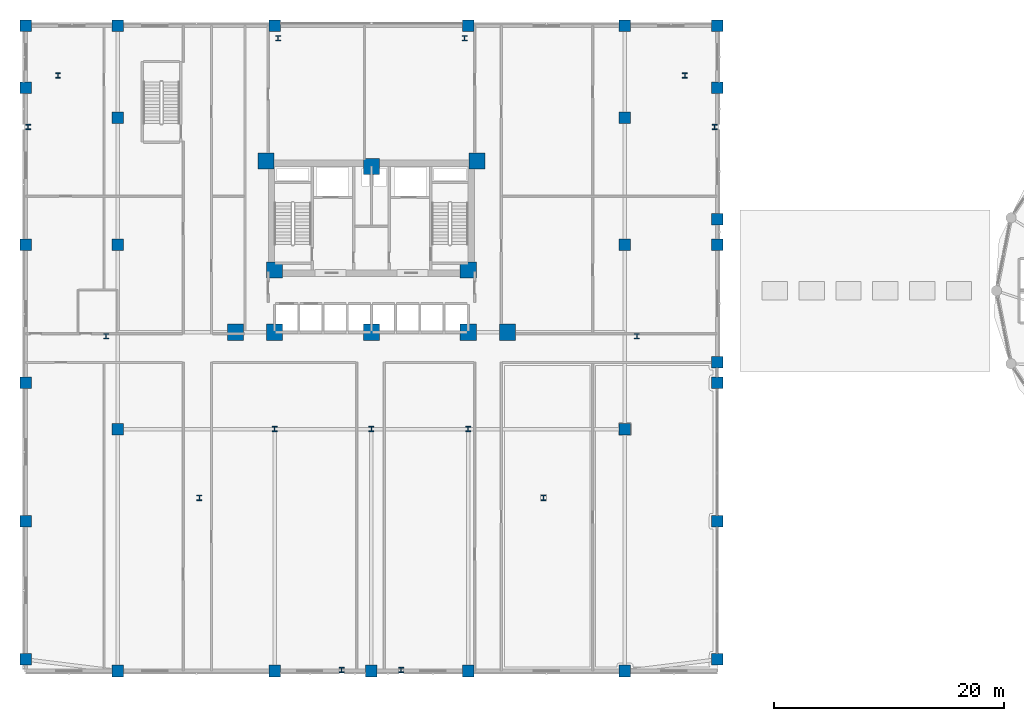
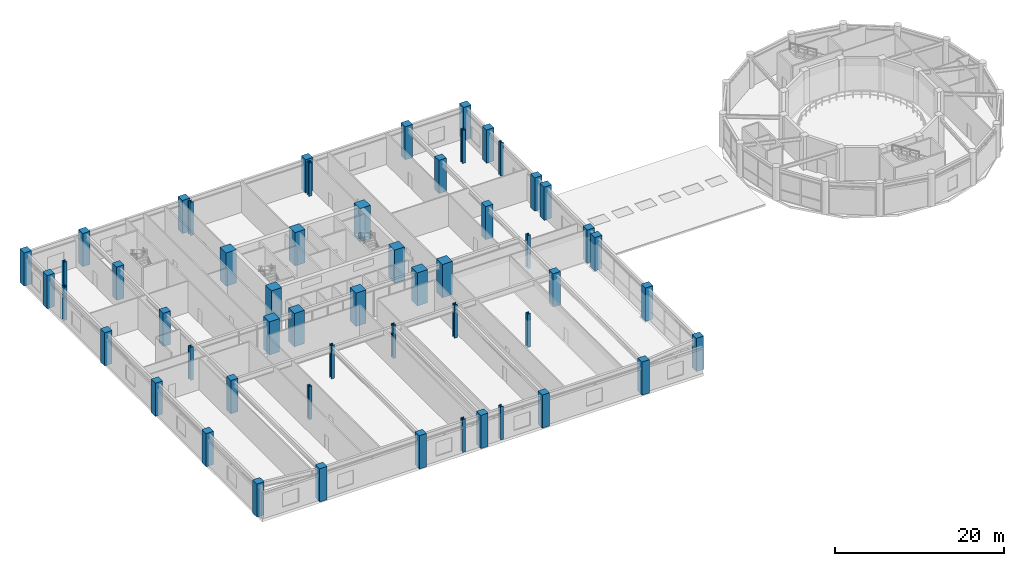
# One storey, part 1 of 34: 54 columns.
"""IFC4 building model written with IfcOpenShell, lengths in metres."""

from ifc_helpers import new_model, si_unit, derived_unit, direction, frame, origin, origin_2d, place, context, subcontext, project, spatial, rectangle, i_section, extrude, source, transform, mapped, material, material_profile, profile_set, type_object, element, save


model = new_model("IFC4")

# Units and contexts
model_context = context("Model", 3, precision=1e-05, world=origin(), true_north=direction((0.0, 1.0)))
body_context = subcontext(model_context, "Body", "Model", "MODEL_VIEW")
ifc_project = project(units=[si_unit("LENGTHUNIT", "METRE"), si_unit("AREAUNIT", "SQUARE_METRE"), si_unit("VOLUMEUNIT", "CUBIC_METRE"), si_unit("PLANEANGLEUNIT", "RADIAN"), si_unit("MASSUNIT", "GRAM", prefix="KILO"), derived_unit("THERMALTRANSMITTANCEUNIT", [(si_unit("POWERUNIT", "WATT"), 1), (si_unit("LENGTHUNIT", "METRE"), -2), (si_unit("THERMODYNAMICTEMPERATUREUNIT", "KELVIN"), -1)])], contexts=[model_context])

# Site, building, storey
site_placement = place(None, origin())
site = spatial("IfcSite", under=ifc_project, at=site_placement, CompositionType="ELEMENT")
building_placement = place(site_placement, origin())
building = spatial("IfcBuilding", under=site, at=building_placement, Name="Korsvarv Bourse and Concert Hall", CompositionType="ELEMENT")
storey_placement = place(building_placement, frame((0.0, 0.0, 14.39990234375)))
storey = spatial("IfcBuildingStorey", under=building, at=storey_placement, Name="L03", CompositionType="ELEMENT", Elevation=14.39990234375)

# Columns
ifc_material_1 = material(Name="Concrete C60/75", Category="concrete")
ifc_material_profile_1 = material_profile(ifc_material_1, rectangle(XDim=1.39990234375, YDim=1.39990234375, at=origin_2d()), Name="RC 1400x1400")
ifc_profile_set_1 = profile_set([ifc_material_profile_1], Name="Concrete C60/75")
column_type_1 = type_object("IfcColumnType", Name="COL-RC1400", PredefinedType="COLUMN", material=ifc_profile_set_1)
shared_shape_1 = source(origin(), body_context, "Body", "SweptSolid", [
    extrude(rectangle(XDim=1.39990234375, YDim=1.39990234375, at=origin_2d()), origin(), (0.0, 0.0, 1.0), 4.800048828125),
])
for number, where, z_axis, x_axis, name in (
    (1, (26.85009765625, 47.25, 0.0), (0.0, 0.0, 1.0), (1.0, 0.0, 0.0), "L03 column C-01"),
    (2, (45.14990234375, 47.25, 0.0), (0.0, 0.0, 1.0), (1.0, 0.0, 0.0), "L03 column C-01"),
    (3, (27.60009765625, 37.800048828125, 0.0), (0.0, 0.0, 1.0), (1.0, 0.0, 0.0), "L03 column C-01"),
    (4, (44.39990234375, 37.800048828125, 0.0), (0.0, 0.0, 1.0), (1.0, 0.0, 0.0), "L03 column C-01"),
    (5, (27.60009765625, 32.39990234375, 0.0), (0.0, 0.0, 1.0), (1.0, 0.0, 0.0), "L03 column C-01"),
    (6, (44.39990234375, 32.39990234375, 0.0), (0.0, 0.0, 1.0), (1.0, 0.0, 0.0), "L03 column C-01"),
    (7, (36.0, 46.800048828125, 0.0), (0.0, 0.0, 1.0), (1.0, 0.0, 0.0), "L03 column C-01"),
    (8, (36.0, 32.39990234375, 0.0), (0.0, 0.0, 1.0), (1.0, 0.0, 0.0), "L03 column C-01"),
    (9, (24.199951171875, 32.39990234375, 0.0), (0.0, 0.0, 1.0), (1.0, 0.0, 0.0), "L03 column C-01"),
    (10, (47.800048828125, 32.39990234375, 0.0), (0.0, 0.0, 1.0), (1.0, 0.0, 0.0), "L03 column C-01"),
):
    element("IfcColumn", number, at=place(storey_placement, frame(where, z_axis=z_axis, x_axis=x_axis)), inside=storey, type_object=column_type_1, Name=name, PredefinedType="COLUMN", context=body_context, shape_type="MappedRepresentation", body=[
        mapped(shared_shape_1, transform((0.0, 0.0, 0.0), scale=1.0)),
    ])
ifc_material_2 = material(Name="Steel S460", Category="steel")
ifc_material_profile_2 = material_profile(ifc_material_2, i_section(OverallWidth=0.424072265625, OverallDepth=0.47412109375, WebThickness=0.044921875, FlangeThickness=0.072021484375, FilletRadius=0.014892578125, at=origin_2d()), Name="HD 400x634")
ifc_profile_set_2 = profile_set([ifc_material_profile_2], Name="Steel S460")
column_type_2 = type_object("IfcColumnType", Name="COL-HD634", PredefinedType="COLUMN", material=ifc_profile_set_2)
shared_shape_2 = source(origin(), body_context, "Body", "SweptSolid", [
    extrude(i_section(OverallWidth=0.424072265625, OverallDepth=0.47412109375, WebThickness=0.044921875, FlangeThickness=0.072021484375, FilletRadius=0.014892578125, at=origin_2d()), origin(), (0.0, 0.0, 1.0), 4.800048828125),
])
for number, where, z_axis, x_axis, name in (
    (11, (27.60009765625, 24.0, 0.0), (0.0, 0.0, 1.0), (1.0, 0.0, 0.0), "L03 column C-07"),
    (12, (44.39990234375, 24.0, 0.0), (0.0, 0.0, 1.0), (1.0, 0.0, 0.0), "L03 column C-07"),
    (13, (36.0, 24.0, 0.0), (0.0, 0.0, 1.0), (1.0, 0.0, 0.0), "L03 column C-07"),
    (14, (65.78857421875, 50.21728515625, 0.0), (0.0, 0.0, 1.0), (1.0, 0.0, 0.0), "L03 column C-07"),
    (15, (63.206787109375, 54.689208984375, 0.0), (0.0, 0.0, 1.0), (1.0, 0.0, 0.0), "L03 column C-07"),
    (16, (44.097412109375, 57.9169921875, 0.0), (0.0, 0.0, 1.0), (1.0, 0.0, 0.0), "L03 column C-07"),
    (17, (27.902587890625, 57.9169921875, 0.0), (0.0, 0.0, 1.0), (1.0, 0.0, 0.0), "L03 column C-07"),
    (18, (8.793212890625, 54.689208984375, 0.0), (0.0, 0.0, 1.0), (1.0, 0.0, 0.0), "L03 column C-07"),
    (19, (6.21142578125, 50.21728515625, 0.0), (0.0, 0.0, 1.0), (1.0, 0.0, 0.0), "L03 column C-07"),
    (20, (12.970458984375, 32.05419921875, 0.0), (0.0, 0.0, 1.0), (1.0, 0.0, 0.0), "L03 column C-07"),
    (21, (21.06787109375, 18.02880859375, 0.0), (0.0, 0.0, 1.0), (1.0, 0.0, 0.0), "L03 column C-07"),
    (22, (33.418212890625, 3.09375, 0.0), (0.0, 0.0, 1.0), (1.0, 0.0, 0.0), "L03 column C-07"),
    (23, (38.581787109375, 3.09375, 0.0), (0.0, 0.0, 1.0), (1.0, 0.0, 0.0), "L03 column C-07"),
    (24, (50.93212890625, 18.02880859375, 0.0), (0.0, 0.0, 1.0), (1.0, 0.0, 0.0), "L03 column C-07"),
    (25, (59.029541015625, 32.05419921875, 0.0), (0.0, 0.0, 1.0), (1.0, 0.0, 0.0), "L03 column C-07"),
):
    element("IfcColumn", number, at=place(storey_placement, frame(where, z_axis=z_axis, x_axis=x_axis)), inside=storey, type_object=column_type_2, Name=name, PredefinedType="COLUMN", context=body_context, shape_type="MappedRepresentation", body=[
        mapped(shared_shape_2, transform((0.0, 0.0, 0.0), scale=1.0)),
    ])
ifc_material_3 = material(Name="Concrete C55/67", Category="concrete")
ifc_material_profile_3 = material_profile(ifc_material_3, rectangle(XDim=1.0, YDim=1.0, at=origin_2d()), Name="RC 1000x1000")
ifc_profile_set_3 = profile_set([ifc_material_profile_3], Name="Concrete C55/67")
column_type_3 = type_object("IfcColumnType", Name="COL-RC1000", PredefinedType="COLUMN", material=ifc_profile_set_3)
shared_shape_3 = source(origin(), body_context, "Body", "SweptSolid", [
    extrude(rectangle(XDim=1.0, YDim=1.0, at=origin_2d()), origin(), (0.0, 0.0, 1.0), 4.800048828125),
])
for number, where, z_axis, x_axis, name in (
    (26, (6.0, 4.0, 0.0), (0.0, 0.0, 1.0), (1.0, 0.0, 0.0), "L03 column C-03"),
    (27, (6.0, 16.0, 0.0), (0.0, 0.0, 1.0), (1.0, 0.0, 0.0), "L03 column C-03"),
    (28, (6.0, 28.0, 0.0), (0.0, 0.0, 1.0), (1.0, 0.0, 0.0), "L03 column C-03"),
    (29, (6.0, 40.0, 0.0), (0.0, 0.0, 1.0), (1.0, 0.0, 0.0), "L03 column C-03"),
    (30, (6.0, 53.60009765625, 0.0), (0.0, 0.0, 1.0), (1.0, 0.0, 0.0), "L03 column C-03"),
    (31, (6.0, 59.0, 0.0), (0.0, 0.0, 1.0), (1.0, 0.0, 0.0), "L03 column C-03"),
    (32, (66.0, 4.0, 0.0), (0.0, 0.0, 1.0), (1.0, 0.0, 0.0), "L03 column C-03"),
    (33, (66.0, 16.0, 0.0), (0.0, 0.0, 1.0), (1.0, 0.0, 0.0), "L03 column C-03"),
    (34, (66.0, 28.0, 0.0), (0.0, 0.0, 1.0), (1.0, 0.0, 0.0), "L03 column C-03"),
    (35, (66.0, 40.0, 0.0), (0.0, 0.0, 1.0), (1.0, 0.0, 0.0), "L03 column C-03"),
    (36, (66.0, 53.60009765625, 0.0), (0.0, 0.0, 1.0), (1.0, 0.0, 0.0), "L03 column C-03"),
    (37, (66.0, 59.0, 0.0), (0.0, 0.0, 1.0), (1.0, 0.0, 0.0), "L03 column C-03"),
    (38, (14.0, 3.0, 0.0), (0.0, 0.0, 1.0), (1.0, 0.0, 0.0), "L03 column C-03"),
    (39, (27.60009765625, 3.0, 0.0), (0.0, 0.0, 1.0), (1.0, 0.0, 0.0), "L03 column C-03"),
    (40, (36.0, 3.0, 0.0), (0.0, 0.0, 1.0), (1.0, 0.0, 0.0), "L03 column C-03"),
    (41, (44.39990234375, 3.0, 0.0), (0.0, 0.0, 1.0), (1.0, 0.0, 0.0), "L03 column C-03"),
    (42, (58.0, 3.0, 0.0), (0.0, 0.0, 1.0), (1.0, 0.0, 0.0), "L03 column C-03"),
    (43, (14.0, 59.0, 0.0), (0.0, 0.0, 1.0), (1.0, 0.0, 0.0), "L03 column C-03"),
    (44, (27.60009765625, 59.0, 0.0), (0.0, 0.0, 1.0), (1.0, 0.0, 0.0), "L03 column C-03"),
    (45, (44.39990234375, 59.0, 0.0), (0.0, 0.0, 1.0), (1.0, 0.0, 0.0), "L03 column C-03"),
    (46, (58.0, 59.0, 0.0), (0.0, 0.0, 1.0), (1.0, 0.0, 0.0), "L03 column C-03"),
    (47, (14.0, 24.0, 0.0), (0.0, 0.0, 1.0), (1.0, 0.0, 0.0), "L03 column C-03"),
    (48, (58.0, 24.0, 0.0), (0.0, 0.0, 1.0), (1.0, 0.0, 0.0), "L03 column C-03"),
    (49, (14.0, 40.0, 0.0), (0.0, 0.0, 1.0), (1.0, 0.0, 0.0), "L03 column C-03"),
    (50, (58.0, 40.0, 0.0), (0.0, 0.0, 1.0), (1.0, 0.0, 0.0), "L03 column C-03"),
    (51, (14.0, 51.0, 0.0), (0.0, 0.0, 1.0), (1.0, 0.0, 0.0), "L03 column C-03"),
    (52, (58.0, 51.0, 0.0), (0.0, 0.0, 1.0), (1.0, 0.0, 0.0), "L03 column C-03"),
    (53, (66.0, 29.800048828125, 0.0), (0.0, 0.0, 1.0), (1.0, 0.0, 0.0), "L03 column C-03"),
    (54, (66.0, 42.199951171875, 0.0), (0.0, 0.0, 1.0), (1.0, 0.0, 0.0), "L03 column C-03"),
):
    element("IfcColumn", number, at=place(storey_placement, frame(where, z_axis=z_axis, x_axis=x_axis)), inside=storey, type_object=column_type_3, Name=name, PredefinedType="COLUMN", context=body_context, shape_type="MappedRepresentation", body=[
        mapped(shared_shape_3, transform((0.0, 0.0, 0.0), scale=1.0)),
    ])

save(model, "model.ifc")
